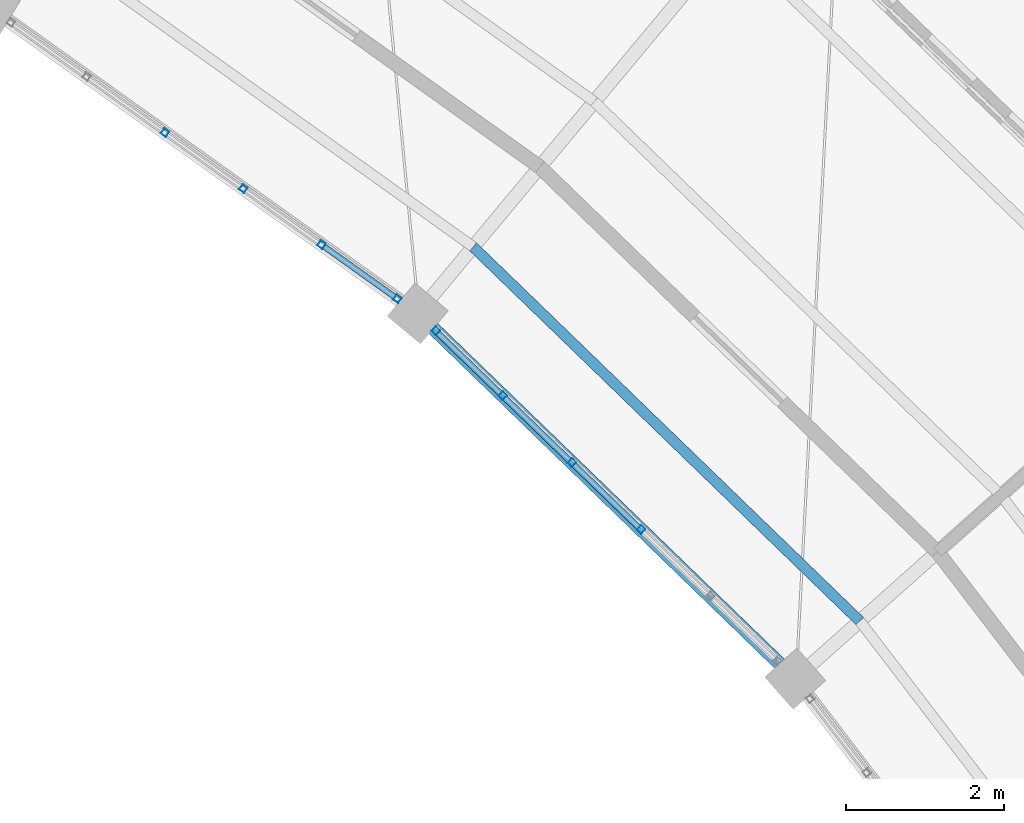
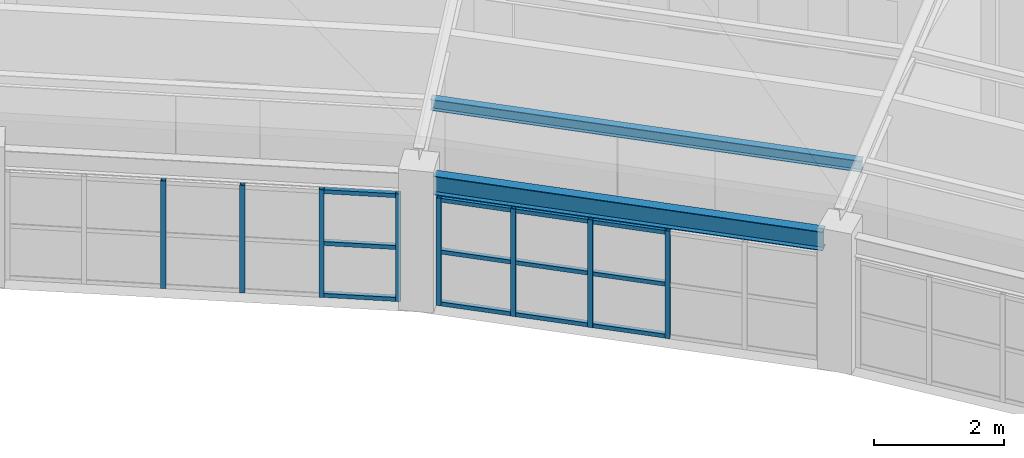
# One storey, part 85 of 149: 21 members, 1 beam, 2 elements without a shape of their own.
"""IFC4 building model written with IfcOpenShell, lengths in metres."""

from ifc_helpers import new_model, si_unit, direction, frame, origin, origin_2d, place, context, subcontext, project, spatial, hollow_rectangle, i_section, extrude, material, material_profile, profile_set, type_object, element, aggregate, save


model = new_model("IFC4")

# Units and contexts
model_context = context("Model", 3, precision=1e-05, world=origin(), true_north=direction((0.0, 1.0)))
body_context = subcontext(model_context, "Body", "Model", "MODEL_VIEW")
ifc_project = project(units=[si_unit("LENGTHUNIT", "METRE"), si_unit("AREAUNIT", "SQUARE_METRE"), si_unit("VOLUMEUNIT", "CUBIC_METRE"), si_unit("PLANEANGLEUNIT", "RADIAN"), si_unit("MASSUNIT", "GRAM", prefix="KILO")], contexts=[model_context])

# Site, building, storey
site_placement = place(None, origin())
site = spatial("IfcSite", under=ifc_project, at=site_placement, CompositionType="ELEMENT")
building_placement = place(site_placement, origin())
building = spatial("IfcBuilding", under=site, at=building_placement, Name="Celadon Cloister-Ring School", CompositionType="ELEMENT")
storey_placement = place(building_placement, frame((0.0, 0.0, 12.5)))
storey = spatial("IfcBuildingStorey", under=building, at=storey_placement, Name="L03", CompositionType="ELEMENT", Elevation=12.5)

# Curtain wall, members
ifc_material_1 = material(Name="Aluminium EN AW-6063 T6", Category="aluminium")
curtain_wall_type = type_object("IfcCurtainWallType", Name="CW-02", PredefinedType="USERDEFINED", material=ifc_material_1)
curtain_wall_1_placement = place(storey_placement, origin())
curtain_wall_1 = element("IfcCurtainWall", 1, at=curtain_wall_1_placement, inside=storey, type_object=curtain_wall_type, Name="Curtain Wall 0077", ObjectType="CURTAIN WALL", PredefinedType="USERDEFINED")
ifc_material_2 = material(Name="Aluminium EN AW-6063 T6", Category="aluminium")
ifc_material_profile_1 = material_profile(ifc_material_2, hollow_rectangle(XDim=0.080078125, YDim=0.080078125, WallThickness=0.00390625, at=origin_2d()), Name="RHS80X80X4")
ifc_profile_set_1 = profile_set([ifc_material_profile_1], Name="Aluminium EN AW-6063 T6")
member_type_1 = type_object("IfcMemberType", Name="CM-03", PredefinedType="MULLION", material=ifc_profile_set_1)
member_1_placement = place(storey_placement, frame((118.64892578125, 90.821533203125, 0.0), z_axis=(0.0, 0.0, 1.0), x_axis=(-0.695473229624, -0.718552007078, 0.0)))
member_1 = element("IfcMember", 2, at=member_1_placement, type_object=member_type_1, Name="CW-02 mullion 3", PredefinedType="MULLION", context=body_context, shape_type="SweptSolid", body=[
    extrude(hollow_rectangle(XDim=0.080078125, YDim=0.080078125, WallThickness=0.00390625, at=origin_2d()), origin(), (0.0, 0.0, 1.0), 2.02001953125),
])
member_2_placement = place(storey_placement, frame((117.77099609375, 91.67138671875, 0.0), z_axis=(0.0, 0.0, 1.0), x_axis=(-0.695473229624, -0.718552007078, 0.0)))
member_2 = element("IfcMember", 3, at=member_2_placement, type_object=member_type_1, Name="CW-02 mullion 4", PredefinedType="MULLION", context=body_context, shape_type="SweptSolid", body=[
    extrude(hollow_rectangle(XDim=0.080078125, YDim=0.080078125, WallThickness=0.00390625, at=origin_2d()), origin(), (0.0, 0.0, 1.0), 2.02001953125),
])
member_3_placement = place(storey_placement, frame((116.89306640625, 92.521240234375, 0.0), z_axis=(0.0, 0.0, 1.0), x_axis=(-0.695473229624, -0.718552007078, 0.0)))
member_3 = element("IfcMember", 4, at=member_3_placement, type_object=member_type_1, Name="CW-02 mullion 5", PredefinedType="MULLION", context=body_context, shape_type="SweptSolid", body=[
    extrude(hollow_rectangle(XDim=0.080078125, YDim=0.080078125, WallThickness=0.00390625, at=origin_2d()), origin(), (0.0, 0.0, 1.0), 2.02001953125),
])
member_4_placement = place(storey_placement, frame((116.043701171875, 93.34326171875, 0.0), z_axis=(0.0, 0.0, 1.0), x_axis=(-0.695473229624, -0.718552007078, 0.0)))
member_4 = element("IfcMember", 5, at=member_4_placement, type_object=member_type_1, Name="CW-02 mullion 6", PredefinedType="MULLION", context=body_context, shape_type="SweptSolid", body=[
    extrude(hollow_rectangle(XDim=0.080078125, YDim=0.080078125, WallThickness=0.00390625, at=origin_2d()), origin(), (0.0, 0.0, 1.0), 2.02001953125),
])

curtain_wall_2_placement = place(storey_placement, origin())
curtain_wall_2 = element("IfcCurtainWall", 6, at=curtain_wall_2_placement, inside=storey, type_object=curtain_wall_type, Name="Curtain Wall 0078", ObjectType="CURTAIN WALL", PredefinedType="USERDEFINED")
member_5_placement = place(storey_placement, frame((115.555419921875, 93.750244140625, 0.0), z_axis=(0.0, 0.0, 1.0), x_axis=(-0.581640746221, -0.813445783279, 0.0)))
member_5 = element("IfcMember", 7, at=member_5_placement, type_object=member_type_1, Name="CW-02 mullion 1", PredefinedType="MULLION", context=body_context, shape_type="SweptSolid", body=[
    extrude(hollow_rectangle(XDim=0.080078125, YDim=0.080078125, WallThickness=0.00390625, at=origin_2d()), origin(), (0.0, 0.0, 1.0), 2.02001953125),
])
member_6_placement = place(storey_placement, frame((114.59423828125, 94.4375, 0.0), z_axis=(0.0, 0.0, 1.0), x_axis=(-0.581640746221, -0.813445783279, 0.0)))
member_6 = element("IfcMember", 8, at=member_6_placement, type_object=member_type_1, Name="CW-02 mullion 2", PredefinedType="MULLION", context=body_context, shape_type="SweptSolid", body=[
    extrude(hollow_rectangle(XDim=0.080078125, YDim=0.080078125, WallThickness=0.00390625, at=origin_2d()), origin(), (0.0, 0.0, 1.0), 2.02001953125),
])
member_7_placement = place(storey_placement, frame((113.600341796875, 95.148193359375, 0.0), z_axis=(0.0, 0.0, 1.0), x_axis=(-0.581640746221, -0.813445783279, 0.0)))
member_7 = element("IfcMember", 9, at=member_7_placement, type_object=member_type_1, Name="CW-02 mullion 3", PredefinedType="MULLION", context=body_context, shape_type="SweptSolid", body=[
    extrude(hollow_rectangle(XDim=0.080078125, YDim=0.080078125, WallThickness=0.00390625, at=origin_2d()), origin(), (0.0, 0.0, 1.0), 2.02001953125),
])
member_8_placement = place(storey_placement, frame((112.606689453125, 95.85888671875, 0.0), z_axis=(0.0, 0.0, 1.0), x_axis=(-0.581640746221, -0.813445783279, 0.0)))
member_8 = element("IfcMember", 10, at=member_8_placement, type_object=member_type_1, Name="CW-02 mullion 4", PredefinedType="MULLION", context=body_context, shape_type="SweptSolid", body=[
    extrude(hollow_rectangle(XDim=0.080078125, YDim=0.080078125, WallThickness=0.00390625, at=origin_2d()), origin(), (0.0, 0.0, 1.0), 2.02001953125),
])

# Member
ifc_material_3 = material(Name="Aluminium EN AW-6063 T6", Category="aluminium")
ifc_material_profile_2 = material_profile(ifc_material_3, hollow_rectangle(XDim=0.074951171875, YDim=0.074951171875, WallThickness=0.00390625, at=origin_2d()), Name="RHS75X75X4")
ifc_profile_set_2 = profile_set([ifc_material_profile_2], Name="Aluminium EN AW-6063 T6")
member_type_2 = type_object("IfcMemberType", Name="CTM-03", PredefinedType="USERDEFINED", material=ifc_profile_set_2)
member_9_placement = place(storey_placement, frame((118.620361328125, 90.849365234375, 0.03759765625), z_axis=(-0.718557336857, 0.695467722938, 0.0), x_axis=(-0.695467722938, -0.718557336857, 0.0)))
member_9 = element("IfcMember", 11, at=member_9_placement, type_object=member_type_2, Name="CW-02 transom 3.1", ObjectType="TRANSOM", PredefinedType="USERDEFINED", context=body_context, shape_type="SweptSolid", body=[
    extrude(hollow_rectangle(XDim=0.074951171875, YDim=0.074951171875, WallThickness=0.00390625, at=origin_2d()), origin(), (0.0, 0.0, 1.0), 1.141845703125),
])

member_10_placement = place(storey_placement, frame((118.620361328125, 90.849365234375, 1.010009765625), z_axis=(-0.718557336857, 0.695467722938, 0.0), x_axis=(-0.695467722938, -0.718557336857, 0.0)))
member_10 = element("IfcMember", 12, at=member_10_placement, type_object=member_type_2, Name="CW-02 transom 3.2", ObjectType="TRANSOM", PredefinedType="USERDEFINED", context=body_context, shape_type="SweptSolid", body=[
    extrude(hollow_rectangle(XDim=0.074951171875, YDim=0.074951171875, WallThickness=0.00390625, at=origin_2d()), origin(), (0.0, 0.0, 1.0), 1.141845703125),
])

member_11_placement = place(storey_placement, frame((118.620361328125, 90.849365234375, 1.982421875), z_axis=(-0.718557336857, 0.695467722938, 0.0), x_axis=(-0.695467722938, -0.718557336857, 0.0)))
member_11 = element("IfcMember", 13, at=member_11_placement, type_object=member_type_2, Name="CW-02 transom 3.3", ObjectType="TRANSOM", PredefinedType="USERDEFINED", context=body_context, shape_type="SweptSolid", body=[
    extrude(hollow_rectangle(XDim=0.074951171875, YDim=0.074951171875, WallThickness=0.00390625, at=origin_2d()), origin(), (0.0, 0.0, 1.0), 1.141845703125),
])

member_12_placement = place(storey_placement, frame((117.7421875, 91.69921875, 0.03759765625), z_axis=(-0.718557336857, 0.695467722938, 0.0), x_axis=(-0.695467722938, -0.718557336857, 0.0)))
member_12 = element("IfcMember", 14, at=member_12_placement, type_object=member_type_2, Name="CW-02 transom 4.1", ObjectType="TRANSOM", PredefinedType="USERDEFINED", context=body_context, shape_type="SweptSolid", body=[
    extrude(hollow_rectangle(XDim=0.074951171875, YDim=0.074951171875, WallThickness=0.00390625, at=origin_2d()), origin(), (0.0, 0.0, 1.0), 1.141845703125),
])

member_13_placement = place(storey_placement, frame((117.7421875, 91.69921875, 1.010009765625), z_axis=(-0.718557336857, 0.695467722938, 0.0), x_axis=(-0.695467722938, -0.718557336857, 0.0)))
member_13 = element("IfcMember", 15, at=member_13_placement, type_object=member_type_2, Name="CW-02 transom 4.2", ObjectType="TRANSOM", PredefinedType="USERDEFINED", context=body_context, shape_type="SweptSolid", body=[
    extrude(hollow_rectangle(XDim=0.074951171875, YDim=0.074951171875, WallThickness=0.00390625, at=origin_2d()), origin(), (0.0, 0.0, 1.0), 1.141845703125),
])

member_14_placement = place(storey_placement, frame((117.7421875, 91.69921875, 1.982421875), z_axis=(-0.718557336857, 0.695467722938, 0.0), x_axis=(-0.695467722938, -0.718557336857, 0.0)))
member_14 = element("IfcMember", 16, at=member_14_placement, type_object=member_type_2, Name="CW-02 transom 4.3", ObjectType="TRANSOM", PredefinedType="USERDEFINED", context=body_context, shape_type="SweptSolid", body=[
    extrude(hollow_rectangle(XDim=0.074951171875, YDim=0.074951171875, WallThickness=0.00390625, at=origin_2d()), origin(), (0.0, 0.0, 1.0), 1.141845703125),
])

member_15_placement = place(storey_placement, frame((116.8642578125, 92.549072265625, 0.03759765625), z_axis=(-0.718534275975, 0.695491548654, 0.0), x_axis=(-0.695491548654, -0.718534275975, 0.0)))
member_15 = element("IfcMember", 17, at=member_15_placement, type_object=member_type_2, Name="CW-02 transom 5.1", ObjectType="TRANSOM", PredefinedType="USERDEFINED", context=body_context, shape_type="SweptSolid", body=[
    extrude(hollow_rectangle(XDim=0.074951171875, YDim=0.074951171875, WallThickness=0.00390625, at=origin_2d()), origin(), (0.0, 0.0, 1.0), 1.101806640625),
])

member_16_placement = place(storey_placement, frame((116.8642578125, 92.549072265625, 1.010009765625), z_axis=(-0.718534275975, 0.695491548654, 0.0), x_axis=(-0.695491548654, -0.718534275975, 0.0)))
member_16 = element("IfcMember", 18, at=member_16_placement, type_object=member_type_2, Name="CW-02 transom 5.2", ObjectType="TRANSOM", PredefinedType="USERDEFINED", context=body_context, shape_type="SweptSolid", body=[
    extrude(hollow_rectangle(XDim=0.074951171875, YDim=0.074951171875, WallThickness=0.00390625, at=origin_2d()), origin(), (0.0, 0.0, 1.0), 1.101806640625),
])

member_17_placement = place(storey_placement, frame((116.8642578125, 92.549072265625, 1.982421875), z_axis=(-0.718534275975, 0.695491548654, 0.0), x_axis=(-0.695491548654, -0.718534275975, 0.0)))
member_17 = element("IfcMember", 19, at=member_17_placement, type_object=member_type_2, Name="CW-02 transom 5.3", ObjectType="TRANSOM", PredefinedType="USERDEFINED", context=body_context, shape_type="SweptSolid", body=[
    extrude(hollow_rectangle(XDim=0.074951171875, YDim=0.074951171875, WallThickness=0.00390625, at=origin_2d()), origin(), (0.0, 0.0, 1.0), 1.101806640625),
])

aggregate(curtain_wall_1, [member_1, member_2, member_3, member_4, member_9, member_10, member_11, member_12, member_13, member_14, member_15, member_16, member_17])

member_18_placement = place(storey_placement, frame((115.52294921875, 93.7734375, 0.03759765625), z_axis=(-0.813433925731, 0.581657329078, 0.0), x_axis=(-0.581657329078, -0.813433925731, 0.0)))
member_18 = element("IfcMember", 20, at=member_18_placement, type_object=member_type_2, Name="CW-02 transom 1.1", ObjectType="TRANSOM", PredefinedType="USERDEFINED", context=body_context, shape_type="SweptSolid", body=[
    extrude(hollow_rectangle(XDim=0.074951171875, YDim=0.074951171875, WallThickness=0.00390625, at=origin_2d()), origin(), (0.0, 0.0, 1.0), 1.101806640625),
])

member_19_placement = place(storey_placement, frame((115.52294921875, 93.7734375, 1.010009765625), z_axis=(-0.813433925731, 0.581657329078, 0.0), x_axis=(-0.581657329078, -0.813433925731, 0.0)))
member_19 = element("IfcMember", 21, at=member_19_placement, type_object=member_type_2, Name="CW-02 transom 1.2", ObjectType="TRANSOM", PredefinedType="USERDEFINED", context=body_context, shape_type="SweptSolid", body=[
    extrude(hollow_rectangle(XDim=0.074951171875, YDim=0.074951171875, WallThickness=0.00390625, at=origin_2d()), origin(), (0.0, 0.0, 1.0), 1.101806640625),
])

member_20_placement = place(storey_placement, frame((115.52294921875, 93.7734375, 1.982421875), z_axis=(-0.813433925731, 0.581657329078, 0.0), x_axis=(-0.581657329078, -0.813433925731, 0.0)))
member_20 = element("IfcMember", 22, at=member_20_placement, type_object=member_type_2, Name="CW-02 transom 1.3", ObjectType="TRANSOM", PredefinedType="USERDEFINED", context=body_context, shape_type="SweptSolid", body=[
    extrude(hollow_rectangle(XDim=0.074951171875, YDim=0.074951171875, WallThickness=0.00390625, at=origin_2d()), origin(), (0.0, 0.0, 1.0), 1.101806640625),
])

aggregate(curtain_wall_2, [member_5, member_6, member_7, member_8, member_18, member_19, member_20])

# Beam
ifc_material_4 = material(Name="Structural steel S355JR", Category="steel")
ifc_material_profile_3 = material_profile(ifc_material_4, i_section(OverallWidth=0.1708984375, OverallDepth=0.35498046875, WebThickness=0.007080078125, FlangeThickness=0.01171875, at=origin_2d()), Name="W360X51")
ifc_profile_set_3 = profile_set([ifc_material_profile_3], Name="Structural steel S355JR")
beam_type = type_object("IfcBeamType", Name="GT-08", PredefinedType="USERDEFINED", material=ifc_profile_set_3)
beam_placement = place(storey_placement, frame((120.425048828125, 89.10205078125, 2.27197265625), z_axis=(-0.718437447035, 0.695591571756, 0.0), x_axis=(-0.695591571756, -0.718437447035, 0.0)))
element("IfcBeam", 23, at=beam_placement, inside=storey, type_object=beam_type, Name="Beam 0588", ObjectType="GIRDER", PredefinedType="USERDEFINED", context=body_context, shape_type="SweptSolid", body=[
    extrude(i_section(OverallWidth=0.1708984375, OverallDepth=0.35498046875, WebThickness=0.007080078125, FlangeThickness=0.01171875, at=origin_2d()), origin(), (0.0, 0.0, 1.0), 6.166015625),
])

# Member
ifc_material_5 = material(Name="Structural steel S355JR", Category="steel")
ifc_material_profile_4 = material_profile(ifc_material_5, i_section(OverallWidth=0.133056640625, OverallDepth=0.20703125, WebThickness=0.005859375, FlangeThickness=0.00830078125, at=origin_2d()), Name="W200X27")
ifc_profile_set_4 = profile_set([ifc_material_profile_4], Name="Structural steel S355JR")
member_type_3 = type_object("IfcMemberType", Name="MP-04", PredefinedType="PURLIN", material=ifc_profile_set_4)
member_21_placement = place(storey_placement, frame((121.426025390625, 89.659912109375, 2.970947265625), z_axis=(-0.718506473023, 0.695520271612, 0.0), x_axis=(-0.695520271612, -0.718506473023, 0.0)))
element("IfcMember", 24, at=member_21_placement, inside=storey, type_object=member_type_3, Name="Structural Member 0247", PredefinedType="PURLIN", context=body_context, shape_type="SweptSolid", body=[
    extrude(i_section(OverallWidth=0.133056640625, OverallDepth=0.20703125, WebThickness=0.005859375, FlangeThickness=0.00830078125, at=origin_2d()), origin(), (0.0, 0.0, 1.0), 6.829345703125),
])

save(model, "model.ifc")
